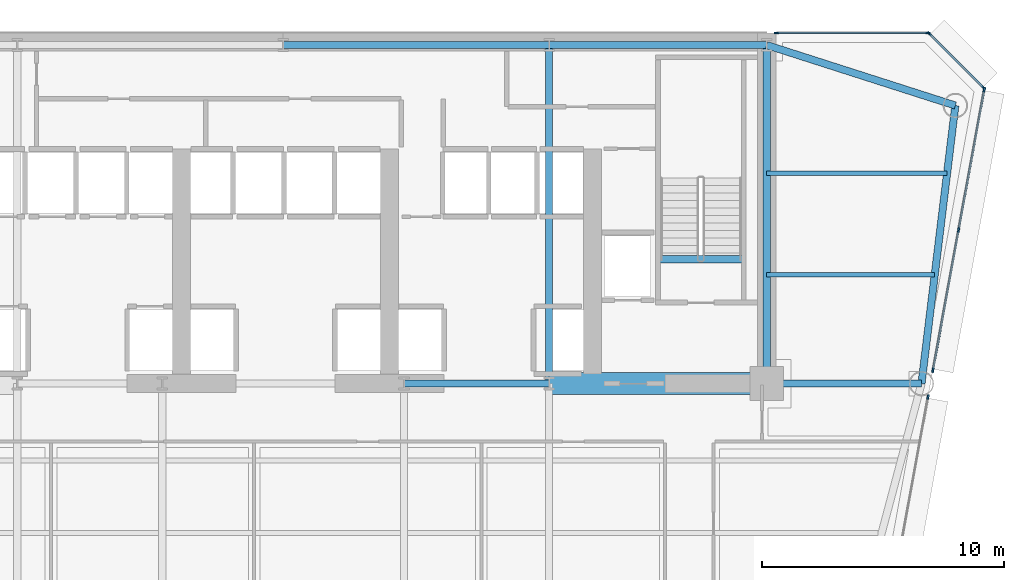
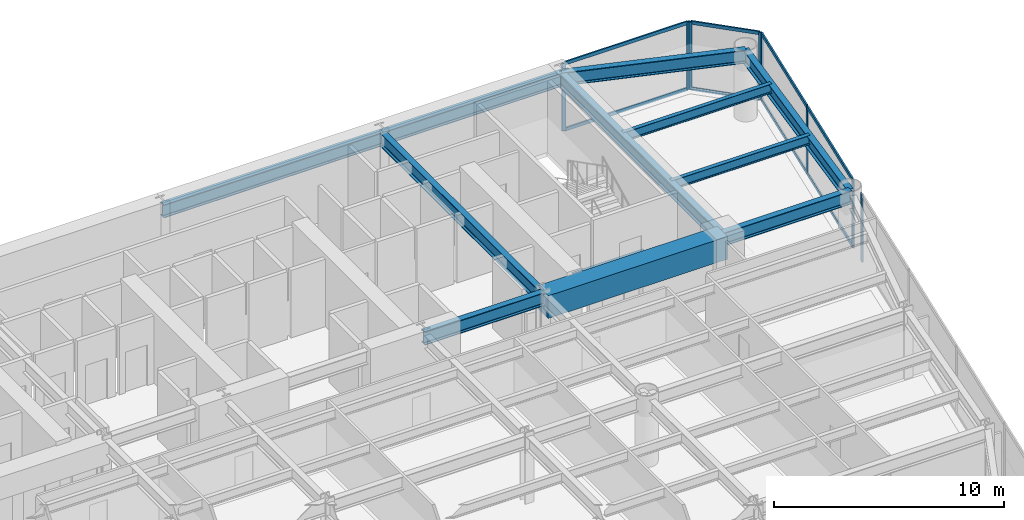
# One storey, part 6 of 14: 16 members, 12 beams, 4 elements without a shape of their own.
"""IFC4 building model written with IfcOpenShell, lengths in metres."""

from ifc_helpers import new_model, si_unit, direction, frame, origin, origin_2d, place, context, subcontext, project, spatial, rectangle, i_section, extrude, source, transform, mapped, material, layer, layer_set, material_profile, profile_set, type_object, element, aggregate, save


model = new_model("IFC4")

# Units and contexts
model_context = context("Model", 3, precision=1e-05, world=origin(), true_north=direction((0.0, 1.0)))
body_context = subcontext(model_context, "Body", "Model", "MODEL_VIEW")
ifc_project = project(units=[si_unit("LENGTHUNIT", "METRE"), si_unit("AREAUNIT", "SQUARE_METRE"), si_unit("VOLUMEUNIT", "CUBIC_METRE"), si_unit("PLANEANGLEUNIT", "RADIAN"), si_unit("MASSUNIT", "GRAM", prefix="KILO")], contexts=[model_context])

# Site, building, storey
site_placement = place(None, origin())
site = spatial("IfcSite", under=ifc_project, at=site_placement, CompositionType="ELEMENT")
building_placement = place(site_placement, origin())
building = spatial("IfcBuilding", under=site, at=building_placement, Name="Vaeldorn Concourse Tower", CompositionType="ELEMENT")
storey_placement = place(building_placement, frame((0.0, 0.0, 92.0)))
storey = spatial("IfcBuildingStorey", under=building, at=storey_placement, Name="L23", CompositionType="ELEMENT", Elevation=92.0)

# Beams
ifc_material_1 = material(Name="Concrete C60/75", Category="concrete")
ifc_material_profile_1 = material_profile(ifc_material_1, rectangle(XDim=0.89990234375, YDim=1.199951171875, at=origin_2d()), Name="RC 900x1200")
ifc_profile_set_1 = profile_set([ifc_material_profile_1], Name="Concrete C60/75")
beam_type_1 = type_object("IfcBeamType", Name="BM-CB-RC900", PredefinedType="BEAM", material=ifc_profile_set_1)
shared_shape_1 = source(origin(), body_context, "Body", "SweptSolid", [
    extrude(rectangle(XDim=0.89990234375, YDim=1.199951171875, at=origin_2d()), origin(), (0.0, 0.0, 1.0), 9.0),
])
beam_1_placement = place(storey_placement, frame((45.0, 36.5, 2.97998046875), z_axis=(1.0, 0.0, 0.0), x_axis=(0.0, 1.0, 0.0)))
element("IfcBeam", 1, at=beam_1_placement, inside=storey, type_object=beam_type_1, Name="Core Coupling Beam L23-2", PredefinedType="BEAM", context=body_context, shape_type="MappedRepresentation", body=[
    mapped(shared_shape_1, transform((0.0, 0.0, 0.0), scale=1.0)),
])
ifc_material_2 = material(Name="Steel S355", Category="steel")
ifc_material_profile_2 = material_profile(ifc_material_2, i_section(OverallWidth=0.300048828125, OverallDepth=0.340087890625, WebThickness=0.011962890625, FlangeThickness=0.021484375, FilletRadius=0.027099609375, at=origin_2d()), Name="HEB 340")
ifc_profile_set_2 = profile_set([ifc_material_profile_2], Name="Steel S355")
beam_type_2 = type_object("IfcBeamType", Name="BM-ST-TRIM", PredefinedType="BEAM", material=ifc_profile_set_2)
shared_shape_2 = source(origin(), body_context, "Body", "SweptSolid", [
    extrude(i_section(OverallWidth=0.300048828125, OverallDepth=0.340087890625, WebThickness=0.011962890625, FlangeThickness=0.021484375, FilletRadius=0.027099609375, at=origin_2d()), origin(), (0.0, 0.0, 1.0), 3.590087890625),
])
beam_2_placement = place(storey_placement, frame((49.47998046875, 41.639892578125, -0.389892578125), z_axis=(1.0, 0.0, 0.0), x_axis=(0.0, 1.0, 0.0)))
element("IfcBeam", 2, at=beam_2_placement, inside=storey, type_object=beam_type_2, Name="Stair Landing Trimmer Beam ST-2 L23", PredefinedType="BEAM", context=body_context, shape_type="MappedRepresentation", body=[
    mapped(shared_shape_2, transform((0.0, 0.0, 0.0), scale=1.0)),
])
ifc_material_profile_3 = material_profile(ifc_material_2, i_section(OverallWidth=0.199951171875, OverallDepth=0.5, WebThickness=0.01025390625, FlangeThickness=0.01611328125, FilletRadius=0.02099609375, at=origin_2d()), Name="IPE 500")
ifc_profile_set_3 = profile_set([ifc_material_profile_3], Name="Steel S355")
beam_type_3 = type_object("IfcBeamType", Name="BM-JS-IPE500", PredefinedType="JOIST", material=ifc_profile_set_3)
shared_shape_3 = source(origin(), body_context, "Body", "SweptSolid", [
    extrude(i_section(OverallWidth=0.199951171875, OverallDepth=0.5, WebThickness=0.01025390625, FlangeThickness=0.01611328125, FilletRadius=0.02099609375, at=origin_2d()), origin(), (0.0, 0.0, 1.0), 6.94775390625),
])
beam_3_placement = place(storey_placement, frame((54.0, 41.0, 3.330078125), z_axis=(1.0, 0.0, 0.0), x_axis=(0.0, 1.0, 0.0)))
element("IfcBeam", 3, at=beam_3_placement, inside=storey, type_object=beam_type_3, Name="Beam JS-L23-NE-410", PredefinedType="JOIST", context=body_context, shape_type="MappedRepresentation", body=[
    mapped(shared_shape_3, transform((0.0, 0.0, 0.0), scale=1.0)),
])
shared_shape_4 = source(origin(), body_context, "Body", "SweptSolid", [
    extrude(i_section(OverallWidth=0.199951171875, OverallDepth=0.5, WebThickness=0.01025390625, FlangeThickness=0.01611328125, FilletRadius=0.02099609375, at=origin_2d()), origin(), (0.0, 0.0, 1.0), 7.458984375),
])
beam_4_placement = place(storey_placement, frame((54.0, 45.199951171875, 3.330078125), z_axis=(1.0, 0.0, 0.0), x_axis=(0.0, 1.0, 0.0)))
element("IfcBeam", 4, at=beam_4_placement, inside=storey, type_object=beam_type_3, Name="Beam JS-L23-NE-452", PredefinedType="JOIST", context=body_context, shape_type="MappedRepresentation", body=[
    mapped(shared_shape_4, transform((0.0, 0.0, 0.0), scale=1.0)),
])
ifc_material_profile_4 = material_profile(ifc_material_2, i_section(OverallWidth=0.300048828125, OverallDepth=0.699951171875, WebThickness=0.01708984375, FlangeThickness=0.031982421875, FilletRadius=0.027099609375, at=origin_2d()), Name="HEB 700")
ifc_profile_set_4 = profile_set([ifc_material_profile_4], Name="Steel S355")
beam_type_4 = type_object("IfcBeamType", Name="BM-PG-HEB700", PredefinedType="BEAM", material=ifc_profile_set_4)
shared_shape_5 = source(origin(), body_context, "Body", "SweptSolid", [
    extrude(i_section(OverallWidth=0.300048828125, OverallDepth=0.699951171875, WebThickness=0.01708984375, FlangeThickness=0.031982421875, FilletRadius=0.027099609375, at=origin_2d()), origin(), (0.0, 0.0, 1.0), 6.0),
])
beam_5_placement = place(storey_placement, frame((39.0, 36.5, 3.22998046875), z_axis=(1.0, 0.0, 0.0), x_axis=(0.0, 1.0, 0.0)))
element("IfcBeam", 5, at=beam_5_placement, inside=storey, type_object=beam_type_4, Name="Beam BM-L23-C-FC4-C-FC5", PredefinedType="BEAM", context=body_context, shape_type="MappedRepresentation", body=[
    mapped(shared_shape_5, transform((0.0, 0.0, 0.0), scale=1.0)),
])
shared_shape_6 = source(origin(), body_context, "Body", "SweptSolid", [
    extrude(i_section(OverallWidth=0.300048828125, OverallDepth=0.699951171875, WebThickness=0.01708984375, FlangeThickness=0.031982421875, FilletRadius=0.027099609375, at=origin_2d()), origin(), (0.0, 0.0, 1.0), 9.0),
])
beam_6_placement = place(storey_placement, frame((45.0, 50.5, 3.22998046875), z_axis=(1.0, 0.0, 0.0), x_axis=(0.0, 1.0, 0.0)))
element("IfcBeam", 6, at=beam_6_placement, inside=storey, type_object=beam_type_4, Name="Beam BM-L23-C-HC4-C-HC5", PredefinedType="BEAM", context=body_context, shape_type="MappedRepresentation", body=[
    mapped(shared_shape_6, transform((0.0, 0.0, 0.0), scale=1.0)),
])
shared_shape_7 = source(origin(), body_context, "Body", "SweptSolid", [
    extrude(i_section(OverallWidth=0.300048828125, OverallDepth=0.699951171875, WebThickness=0.01708984375, FlangeThickness=0.031982421875, FilletRadius=0.027099609375, at=origin_2d()), origin(), (0.0, 0.0, 1.0), 11.0),
])
beam_7_placement = place(storey_placement, frame((34.0, 50.5, 3.22998046875), z_axis=(1.0, 0.0, 0.0), x_axis=(0.0, 1.0, 0.0)))
element("IfcBeam", 7, at=beam_7_placement, inside=storey, type_object=beam_type_4, Name="Beam BM-L23-C-HC3-C-HC4", PredefinedType="BEAM", context=body_context, shape_type="MappedRepresentation", body=[
    mapped(shared_shape_7, transform((0.0, 0.0, 0.0), scale=1.0)),
])
shared_shape_8 = source(origin(), body_context, "Body", "SweptSolid", [
    extrude(i_section(OverallWidth=0.300048828125, OverallDepth=0.699951171875, WebThickness=0.01708984375, FlangeThickness=0.031982421875, FilletRadius=0.027099609375, at=origin_2d()), origin(), (0.0, 0.0, 1.0), 14.0),
])
for number, where, z_axis, x_axis, name in (
    (8, (45.0, 36.5, 3.22998046875), (0.0, 1.0, 0.0), (-1.0, 0.0, 0.0), "Beam BM-L23-C-FC5-C-HC4"),
    (9, (54.0, 36.5, 3.22998046875), (0.0, 1.0, 0.0), (-1.0, 0.0, 0.0), "Beam BM-L23-C-FC6-C-HC5"),
):
    element("IfcBeam", number, at=place(storey_placement, frame(where, z_axis=z_axis, x_axis=x_axis)), inside=storey, type_object=beam_type_4, Name=name, PredefinedType="BEAM", context=body_context, shape_type="MappedRepresentation", body=[
        mapped(shared_shape_8, transform((0.0, 0.0, 0.0), scale=1.0)),
    ])
shared_shape_9 = source(origin(), body_context, "Body", "SweptSolid", [
    extrude(i_section(OverallWidth=0.300048828125, OverallDepth=0.699951171875, WebThickness=0.01708984375, FlangeThickness=0.031982421875, FilletRadius=0.027099609375, at=origin_2d()), origin(), (0.0, 0.0, 1.0), 8.19091796875),
])
beam_8_placement = place(storey_placement, frame((54.0, 50.5, 3.22998046875), z_axis=(0.952282843383, -0.305216949396, 0.0), x_axis=(0.305216949396, 0.952282843383, 0.0)))
element("IfcBeam", 10, at=beam_8_placement, inside=storey, type_object=beam_type_4, Name="Beam BM-L23-C-HC5-C-NE1", PredefinedType="BEAM", context=body_context, shape_type="MappedRepresentation", body=[
    mapped(shared_shape_9, transform((0.0, 0.0, 0.0), scale=1.0)),
])
shared_shape_10 = source(origin(), body_context, "Body", "SweptSolid", [
    extrude(i_section(OverallWidth=0.300048828125, OverallDepth=0.699951171875, WebThickness=0.01708984375, FlangeThickness=0.031982421875, FilletRadius=0.027099609375, at=origin_2d()), origin(), (0.0, 0.0, 1.0), 11.5849609375),
])
beam_9_placement = place(storey_placement, frame((61.800048828125, 48.0, 3.22998046875), z_axis=(-0.120859382899, -0.992669637677, 0.0), x_axis=(0.992669637677, -0.120859382899, 0.0)))
element("IfcBeam", 11, at=beam_9_placement, inside=storey, type_object=beam_type_4, Name="Beam BM-L23-C-NE1-C-NE2", PredefinedType="BEAM", context=body_context, shape_type="MappedRepresentation", body=[
    mapped(shared_shape_10, transform((0.0, 0.0, 0.0), scale=1.0)),
])
shared_shape_11 = source(origin(), body_context, "Body", "SweptSolid", [
    extrude(i_section(OverallWidth=0.300048828125, OverallDepth=0.699951171875, WebThickness=0.01708984375, FlangeThickness=0.031982421875, FilletRadius=0.027099609375, at=origin_2d()), origin(), (0.0, 0.0, 1.0), 6.39990234375),
])
beam_10_placement = place(storey_placement, frame((54.0, 36.5, 3.22998046875), z_axis=(1.0, 0.0, 0.0), x_axis=(0.0, 1.0, 0.0)))
element("IfcBeam", 12, at=beam_10_placement, inside=storey, type_object=beam_type_4, Name="Beam BM-L23-C-FC6-C-NE2", PredefinedType="BEAM", context=body_context, shape_type="MappedRepresentation", body=[
    mapped(shared_shape_11, transform((0.0, 0.0, 0.0), scale=1.0)),
])

# Curtain wall, members
ifc_material_3 = material(Name="Anodised Bronze Aluminium", Category="aluminium")
ifc_layer = layer(ifc_material_3, 0.199951171875)
ifc_layer_set = layer_set([ifc_layer], Name="Anodised Bronze Aluminium")
curtain_wall_type = type_object("IfcCurtainWallType", Name="CW-SYS-02", PredefinedType="NOTDEFINED", material=ifc_layer_set)
curtain_wall_1_placement = place(storey_placement, origin())
curtain_wall_1 = element("IfcCurtainWall", 13, at=curtain_wall_1_placement, inside=storey, type_object=curtain_wall_type, Name="Unitised Curtain Wall CW-L23-E08-1", PredefinedType="NOTDEFINED")
ifc_material_profile_5 = material_profile(ifc_material_3, rectangle(XDim=0.074951171875, YDim=0.179931640625, at=origin_2d()), Name="CWT 75x180")
ifc_profile_set_5 = profile_set([ifc_material_profile_5], Name="Anodised Bronze Aluminium")
member_type_1 = type_object("IfcMemberType", Name="CWT-BRONZE-180", PredefinedType="USERDEFINED", material=ifc_profile_set_5)
shared_shape_12 = source(origin(), body_context, "Body", "SweptSolid", [
    extrude(rectangle(XDim=0.074951171875, YDim=0.179931640625, at=origin_2d()), origin(), (0.0, 0.0, 1.0), 3.10302734375),
])
member_1_placement = place(storey_placement, frame((62.947021484375, 48.7529296875, 0.03759765625), z_axis=(-0.707106781187, 0.707106781187, 0.0), x_axis=(-0.707106781187, -0.707106781187, 0.0)))
member_1 = element("IfcMember", 14, at=member_1_placement, type_object=member_type_1, Name="CW-02 transom 1.1", ObjectType="TRANSOM", PredefinedType="USERDEFINED", context=body_context, shape_type="MappedRepresentation", body=[
    mapped(shared_shape_12, transform((0.0, 0.0, 0.0), scale=1.0)),
])
member_2_placement = place(storey_placement, frame((62.947021484375, 48.7529296875, 3.54248046875), z_axis=(-0.707106781187, 0.707106781187, 0.0), x_axis=(-0.707106781187, -0.707106781187, 0.0)))
member_2 = element("IfcMember", 15, at=member_2_placement, type_object=member_type_1, Name="CW-02 transom 1.2", ObjectType="TRANSOM", PredefinedType="USERDEFINED", context=body_context, shape_type="MappedRepresentation", body=[
    mapped(shared_shape_12, transform((0.0, 0.0, 0.0), scale=1.0)),
])

# Curtain wall, member
curtain_wall_2_placement = place(storey_placement, origin())
curtain_wall_2 = element("IfcCurtainWall", 16, at=curtain_wall_2_placement, inside=storey, type_object=curtain_wall_type, Name="Unitised Curtain Wall CW-L23-E07-1", PredefinedType="NOTDEFINED")
ifc_material_profile_6 = material_profile(ifc_material_3, rectangle(XDim=0.074951171875, YDim=0.18994140625, at=origin_2d()), Name="CWM 75x190")
ifc_profile_set_6 = profile_set([ifc_material_profile_6], Name="Anodised Bronze Aluminium")
member_type_2 = type_object("IfcMemberType", Name="CWM-BRONZE-190", PredefinedType="MULLION", material=ifc_profile_set_6)
shared_shape_13 = source(origin(), body_context, "Body", "SweptSolid", [
    extrude(rectangle(XDim=0.074951171875, YDim=0.18994140625, at=origin_2d()), origin(), (0.0, 0.0, 1.0), 3.580078125),
])
member_3_placement = place(storey_placement, frame((60.670654296875, 35.945068359375, 0.0), z_axis=(0.0, 0.0, 1.0), x_axis=(-0.983729411039, 0.179656466224, 0.0)))
member_3 = element("IfcMember", 17, at=member_3_placement, type_object=member_type_2, Name="CW-02 mullion 6", PredefinedType="MULLION", context=body_context, shape_type="MappedRepresentation", body=[
    mapped(shared_shape_13, transform((0.0, 0.0, 0.0), scale=1.0)),
])
aggregate(curtain_wall_2, [member_3])

# Curtain wall, members
curtain_wall_3_placement = place(storey_placement, origin())
curtain_wall_3 = element("IfcCurtainWall", 18, at=curtain_wall_3_placement, inside=storey, type_object=curtain_wall_type, Name="Unitised Curtain Wall CW-L23-E07-2", PredefinedType="NOTDEFINED")
member_4_placement = place(storey_placement, frame((60.873291015625, 37.054931640625, 0.0), z_axis=(0.0, 0.0, 1.0), x_axis=(-0.983728808005, 0.179659768174, 0.0)))
member_4 = element("IfcMember", 19, at=member_4_placement, type_object=member_type_2, Name="CW-02 mullion 1", PredefinedType="MULLION", context=body_context, shape_type="MappedRepresentation", body=[
    mapped(shared_shape_13, transform((0.0, 0.0, 0.0), scale=1.0)),
])
member_5_placement = place(storey_placement, frame((61.933349609375, 42.85888671875, 0.0), z_axis=(0.0, 0.0, 1.0), x_axis=(-0.983728808005, 0.179659768174, 0.0)))
member_5 = element("IfcMember", 20, at=member_5_placement, type_object=member_type_2, Name="CW-02 mullion 2", PredefinedType="MULLION", context=body_context, shape_type="MappedRepresentation", body=[
    mapped(shared_shape_13, transform((0.0, 0.0, 0.0), scale=1.0)),
])
member_6_placement = place(storey_placement, frame((62.9931640625, 48.6630859375, 0.0), z_axis=(0.0, 0.0, 1.0), x_axis=(-0.983728808005, 0.179659768174, 0.0)))
member_6 = element("IfcMember", 21, at=member_6_placement, type_object=member_type_2, Name="CW-02 mullion 3", PredefinedType="MULLION", context=body_context, shape_type="MappedRepresentation", body=[
    mapped(shared_shape_13, transform((0.0, 0.0, 0.0), scale=1.0)),
])

# Member
member_7_placement = place(storey_placement, frame((62.973388671875, 48.7265625, 0.0), z_axis=(0.0, 0.0, 1.0), x_axis=(-0.707106781187, -0.707106781187, 0.0)))
member_7 = element("IfcMember", 22, at=member_7_placement, type_object=member_type_2, Name="CW-02 mullion 1", PredefinedType="MULLION", context=body_context, shape_type="MappedRepresentation", body=[
    mapped(shared_shape_13, transform((0.0, 0.0, 0.0), scale=1.0)),
])

member_8_placement = place(storey_placement, frame((60.7265625, 50.973388671875, 0.0), z_axis=(0.0, 0.0, 1.0), x_axis=(-0.707106781187, -0.707106781187, 0.0)))
member_8 = element("IfcMember", 23, at=member_8_placement, type_object=member_type_2, Name="CW-02 mullion 2", PredefinedType="MULLION", context=body_context, shape_type="MappedRepresentation", body=[
    mapped(shared_shape_13, transform((0.0, 0.0, 0.0), scale=1.0)),
])

aggregate(curtain_wall_1, [member_7, member_8, member_1, member_2])

# Curtain wall, members
curtain_wall_4_placement = place(storey_placement, origin())
curtain_wall_4 = element("IfcCurtainWall", 24, at=curtain_wall_4_placement, inside=storey, type_object=curtain_wall_type, Name="Unitised Curtain Wall CW-L23-E09-1", PredefinedType="NOTDEFINED")
member_9_placement = place(storey_placement, frame((60.66259765625, 51.0, 0.0), z_axis=(0.0, 0.0, 1.0), x_axis=(0.0, -1.0, 0.0)))
member_9 = element("IfcMember", 25, at=member_9_placement, type_object=member_type_2, Name="CW-02 mullion 1", PredefinedType="MULLION", context=body_context, shape_type="MappedRepresentation", body=[
    mapped(shared_shape_13, transform((0.0, 0.0, 0.0), scale=1.0)),
])
member_10_placement = place(storey_placement, frame((54.407470703125, 51.0, 0.0), z_axis=(0.0, 0.0, 1.0), x_axis=(0.0, -1.0, 0.0)))
member_10 = element("IfcMember", 26, at=member_10_placement, type_object=member_type_2, Name="CW-02 mullion 2", PredefinedType="MULLION", context=body_context, shape_type="MappedRepresentation", body=[
    mapped(shared_shape_13, transform((0.0, 0.0, 0.0), scale=1.0)),
])
shared_shape_14 = source(origin(), body_context, "Body", "SweptSolid", [
    extrude(rectangle(XDim=0.074951171875, YDim=0.179931640625, at=origin_2d()), origin(), (0.0, 0.0, 1.0), 6.179931640625),
])
member_11_placement = place(storey_placement, frame((60.625, 51.0, 0.03759765625), z_axis=(-1.0, 0.0, 0.0), x_axis=(0.0, -1.0, 0.0)))
member_11 = element("IfcMember", 27, at=member_11_placement, type_object=member_type_1, Name="CW-02 transom 1.1", ObjectType="TRANSOM", PredefinedType="USERDEFINED", context=body_context, shape_type="MappedRepresentation", body=[
    mapped(shared_shape_14, transform((0.0, 0.0, 0.0), scale=1.0)),
])
member_12_placement = place(storey_placement, frame((60.625, 51.0, 3.54248046875), z_axis=(-1.0, 0.0, 0.0), x_axis=(0.0, -1.0, 0.0)))
member_12 = element("IfcMember", 28, at=member_12_placement, type_object=member_type_1, Name="CW-02 transom 1.2", ObjectType="TRANSOM", PredefinedType="USERDEFINED", context=body_context, shape_type="MappedRepresentation", body=[
    mapped(shared_shape_14, transform((0.0, 0.0, 0.0), scale=1.0)),
])
aggregate(curtain_wall_4, [member_9, member_10, member_11, member_12])

# Member
shared_shape_15 = source(origin(), body_context, "Body", "SweptSolid", [
    extrude(rectangle(XDim=0.074951171875, YDim=0.179931640625, at=origin_2d()), origin(), (0.0, 0.0, 1.0), 5.824951171875),
])
member_13_placement = place(storey_placement, frame((60.8798828125, 37.091796875, 0.03759765625), z_axis=(0.179678362279, 0.983725411956, 0.0), x_axis=(-0.983725411956, 0.179678362279, 0.0)))
member_13 = element("IfcMember", 29, at=member_13_placement, type_object=member_type_1, Name="CW-02 transom 1.1", ObjectType="TRANSOM", PredefinedType="USERDEFINED", context=body_context, shape_type="MappedRepresentation", body=[
    mapped(shared_shape_15, transform((0.0, 0.0, 0.0), scale=1.0)),
])

member_14_placement = place(storey_placement, frame((60.8798828125, 37.091796875, 3.54248046875), z_axis=(0.179678362279, 0.983725411956, 0.0), x_axis=(-0.983725411956, 0.179678362279, 0.0)))
member_14 = element("IfcMember", 30, at=member_14_placement, type_object=member_type_1, Name="CW-02 transom 1.2", ObjectType="TRANSOM", PredefinedType="USERDEFINED", context=body_context, shape_type="MappedRepresentation", body=[
    mapped(shared_shape_15, transform((0.0, 0.0, 0.0), scale=1.0)),
])

member_15_placement = place(storey_placement, frame((61.93994140625, 42.89599609375, 0.03759765625), z_axis=(0.179678362279, 0.983725411956, 0.0), x_axis=(-0.983725411956, 0.179678362279, 0.0)))
member_15 = element("IfcMember", 31, at=member_15_placement, type_object=member_type_1, Name="CW-02 transom 2.1", ObjectType="TRANSOM", PredefinedType="USERDEFINED", context=body_context, shape_type="MappedRepresentation", body=[
    mapped(shared_shape_15, transform((0.0, 0.0, 0.0), scale=1.0)),
])

member_16_placement = place(storey_placement, frame((61.93994140625, 42.89599609375, 3.54248046875), z_axis=(0.179678362279, 0.983725411956, 0.0), x_axis=(-0.983725411956, 0.179678362279, 0.0)))
member_16 = element("IfcMember", 32, at=member_16_placement, type_object=member_type_1, Name="CW-02 transom 2.2", ObjectType="TRANSOM", PredefinedType="USERDEFINED", context=body_context, shape_type="MappedRepresentation", body=[
    mapped(shared_shape_15, transform((0.0, 0.0, 0.0), scale=1.0)),
])

aggregate(curtain_wall_3, [member_4, member_5, member_6, member_13, member_14, member_15, member_16])

save(model, "model.ifc")
